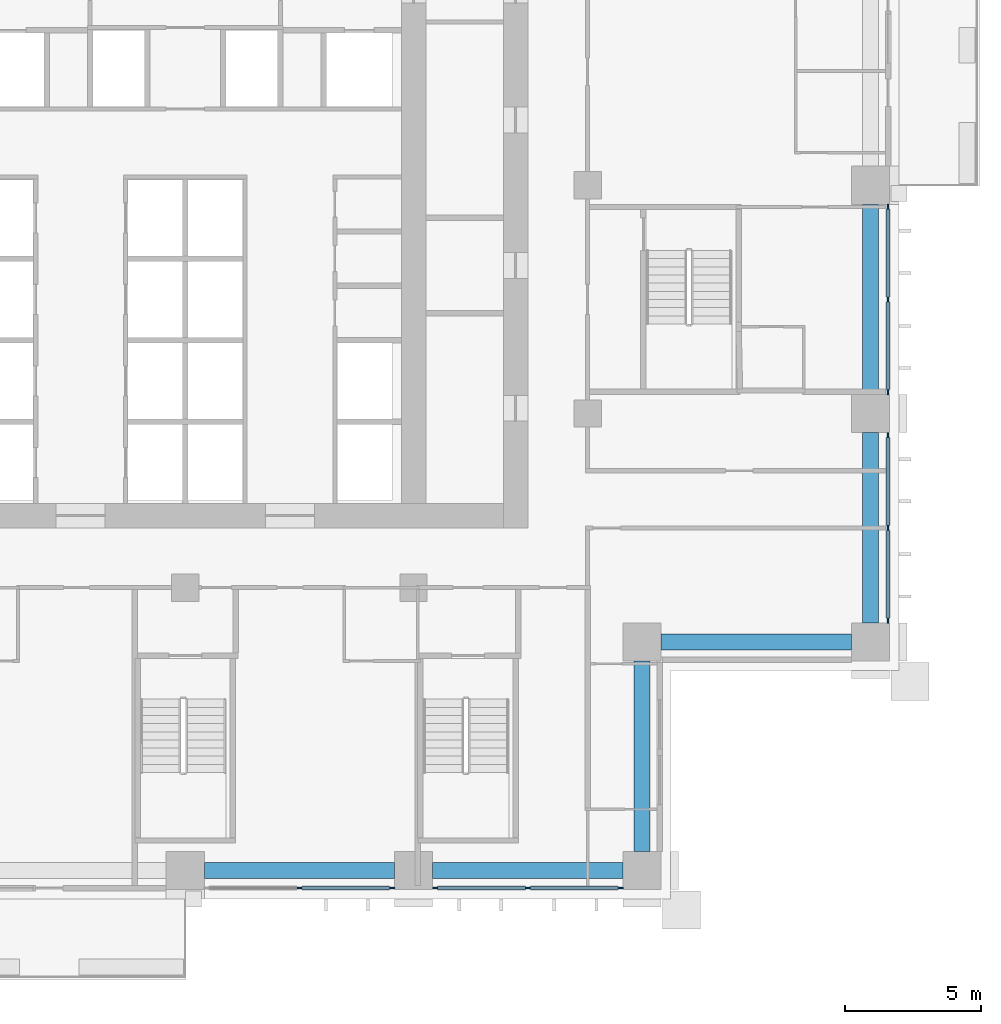
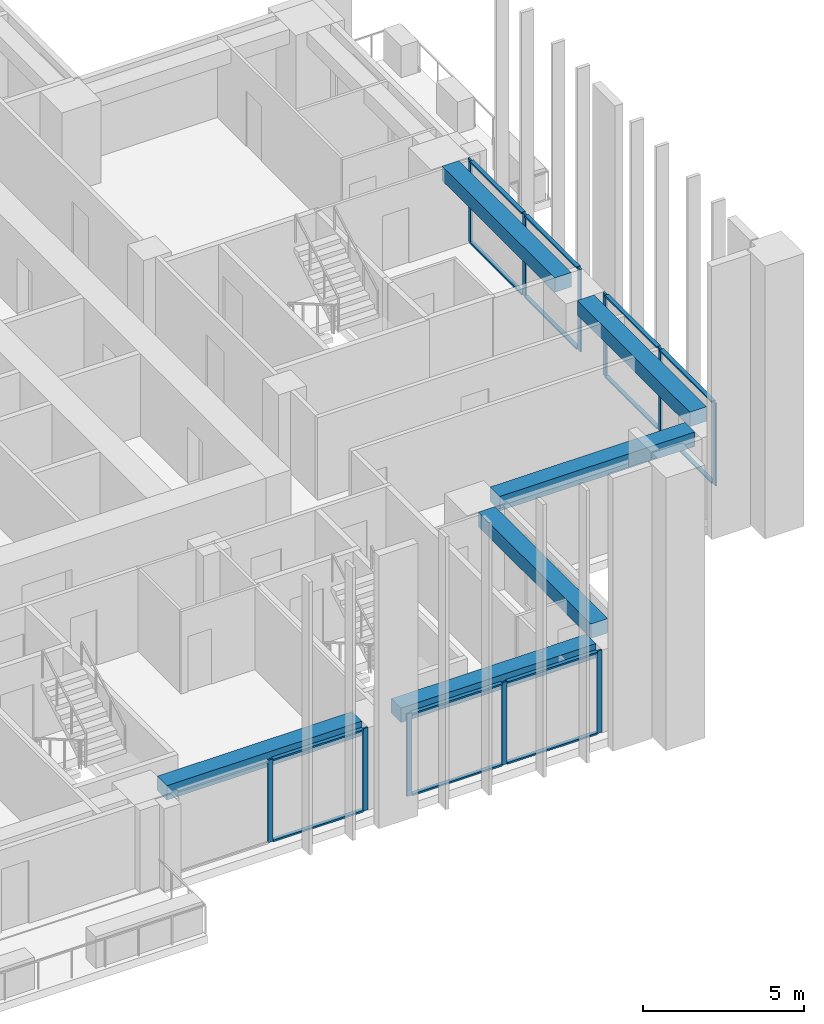
# One storey, part 4 of 17: 25 members, 6 beams, 4 elements without a shape of their own.
"""IFC4 building model written with IfcOpenShell, lengths in metres."""

from ifc_helpers import new_model, si_unit, direction, frame, origin, origin_2d, place, context, subcontext, project, spatial, rectangle, extrude, material, material_profile, profile_set, type_object, element, aggregate, save


model = new_model("IFC4")

# Units and contexts
model_context = context("Model", 3, precision=1e-05, world=origin(), true_north=direction((0.0, 1.0)))
body_context = subcontext(model_context, "Body", "Model", "MODEL_VIEW")
ifc_project = project(units=[si_unit("LENGTHUNIT", "METRE"), si_unit("AREAUNIT", "SQUARE_METRE"), si_unit("VOLUMEUNIT", "CUBIC_METRE"), si_unit("PLANEANGLEUNIT", "RADIAN"), si_unit("MASSUNIT", "GRAM", prefix="KILO")], contexts=[model_context])

# Site, building, storey
site_placement = place(None, origin())
site = spatial("IfcSite", under=ifc_project, at=site_placement, CompositionType="ELEMENT")
building_placement = place(site_placement, origin())
building = spatial("IfcBuilding", under=site, at=building_placement, Name="Vermilion Ogive Tower", CompositionType="ELEMENT")
storey_placement = place(building_placement, frame((0.0, 0.0, 37.949951171875)))
storey = spatial("IfcBuildingStorey", under=building, at=storey_placement, Name="L07", CompositionType="ELEMENT", Elevation=37.949951171875)

# Curtain wall, members
ifc_material_1 = material(Name="Low-iron laminated glazing in aluminium frame", Category="aluminium")
curtain_wall_type = type_object("IfcCurtainWallType", Name="Curtain wall CW7", PredefinedType="NOTDEFINED", material=ifc_material_1)
curtain_wall_1_placement = place(storey_placement, origin())
curtain_wall_1 = element("IfcCurtainWall", 1, at=curtain_wall_1_placement, inside=storey, type_object=curtain_wall_type, Name="Glazed skin S3", PredefinedType="NOTDEFINED")
ifc_material_2 = material(Name="Aluminium mullion", Category="aluminium")
ifc_material_profile_1 = material_profile(ifc_material_2, rectangle(XDim=0.06005859375, YDim=0.179931640625, at=origin_2d()), Name="AL 60x180")
ifc_profile_set_1 = profile_set([ifc_material_profile_1], Name="Aluminium mullion")
member_type_1 = type_object("IfcMemberType", Name="CW7 mullion 60x180", PredefinedType="MULLION", material=ifc_profile_set_1)
member_1_placement = place(storey_placement, frame((4.199951171875, -21.64990234375, 0.0), z_axis=(0.0, 0.0, 1.0), x_axis=(0.0, 1.0, 0.0)))
member_1 = element("IfcMember", 2, at=member_1_placement, type_object=member_type_1, Name="CW7-S3 mullion 2", PredefinedType="MULLION", context=body_context, shape_type="SweptSolid", body=[
    extrude(rectangle(XDim=0.06005859375, YDim=0.179931640625, at=origin_2d()), origin(), (0.0, 0.0, 1.0), 3.130126953125),
])
member_2_placement = place(storey_placement, frame((7.610107421875, -21.64990234375, 0.0), z_axis=(0.0, 0.0, 1.0), x_axis=(0.0, 1.0, 0.0)))
member_2 = element("IfcMember", 3, at=member_2_placement, type_object=member_type_1, Name="CW7-S3 mullion 3", PredefinedType="MULLION", context=body_context, shape_type="SweptSolid", body=[
    extrude(rectangle(XDim=0.06005859375, YDim=0.179931640625, at=origin_2d()), origin(), (0.0, 0.0, 1.0), 3.130126953125),
])

curtain_wall_2_placement = place(storey_placement, origin())
curtain_wall_2 = element("IfcCurtainWall", 4, at=curtain_wall_2_placement, inside=storey, type_object=curtain_wall_type, Name="Glazed skin S4", PredefinedType="NOTDEFINED")
member_3_placement = place(storey_placement, frame((9.18994140625, -21.64990234375, 0.0), z_axis=(0.0, 0.0, 1.0), x_axis=(0.0, 1.0, 0.0)))
member_3 = element("IfcMember", 5, at=member_3_placement, type_object=member_type_1, Name="CW7-S4 mullion 1", PredefinedType="MULLION", context=body_context, shape_type="SweptSolid", body=[
    extrude(rectangle(XDim=0.06005859375, YDim=0.179931640625, at=origin_2d()), origin(), (0.0, 0.0, 1.0), 3.130126953125),
])
member_4_placement = place(storey_placement, frame((12.60009765625, -21.64990234375, 0.0), z_axis=(0.0, 0.0, 1.0), x_axis=(0.0, 1.0, 0.0)))
member_4 = element("IfcMember", 6, at=member_4_placement, type_object=member_type_1, Name="CW7-S4 mullion 2", PredefinedType="MULLION", context=body_context, shape_type="SweptSolid", body=[
    extrude(rectangle(XDim=0.06005859375, YDim=0.179931640625, at=origin_2d()), origin(), (0.0, 0.0, 1.0), 3.130126953125),
])
member_5_placement = place(storey_placement, frame((16.010009765625, -21.64990234375, 0.0), z_axis=(0.0, 0.0, 1.0), x_axis=(0.0, 1.0, 0.0)))
member_5 = element("IfcMember", 7, at=member_5_placement, type_object=member_type_1, Name="CW7-S4 mullion 3", PredefinedType="MULLION", context=body_context, shape_type="SweptSolid", body=[
    extrude(rectangle(XDim=0.06005859375, YDim=0.179931640625, at=origin_2d()), origin(), (0.0, 0.0, 1.0), 3.130126953125),
])

curtain_wall_3_placement = place(storey_placement, origin())
curtain_wall_3 = element("IfcCurtainWall", 8, at=curtain_wall_3_placement, inside=storey, type_object=curtain_wall_type, Name="Glazed skin E1", PredefinedType="NOTDEFINED")
member_6_placement = place(storey_placement, frame((25.85009765625, -11.81005859375, 0.0), z_axis=(0.0, 0.0, 1.0), x_axis=(-1.0, 0.0, 0.0)))
member_6 = element("IfcMember", 9, at=member_6_placement, type_object=member_type_1, Name="CW7-E1 mullion 1", PredefinedType="MULLION", context=body_context, shape_type="SweptSolid", body=[
    extrude(rectangle(XDim=0.06005859375, YDim=0.179931640625, at=origin_2d()), origin(), (0.0, 0.0, 1.0), 3.130126953125),
])
member_7_placement = place(storey_placement, frame((25.85009765625, -8.39990234375, 0.0), z_axis=(0.0, 0.0, 1.0), x_axis=(-1.0, 0.0, 0.0)))
member_7 = element("IfcMember", 10, at=member_7_placement, type_object=member_type_1, Name="CW7-E1 mullion 2", PredefinedType="MULLION", context=body_context, shape_type="SweptSolid", body=[
    extrude(rectangle(XDim=0.06005859375, YDim=0.179931640625, at=origin_2d()), origin(), (0.0, 0.0, 1.0), 3.130126953125),
])
member_8_placement = place(storey_placement, frame((25.85009765625, -4.989990234375, 0.0), z_axis=(0.0, 0.0, 1.0), x_axis=(-1.0, 0.0, 0.0)))
member_8 = element("IfcMember", 11, at=member_8_placement, type_object=member_type_1, Name="CW7-E1 mullion 3", PredefinedType="MULLION", context=body_context, shape_type="SweptSolid", body=[
    extrude(rectangle(XDim=0.06005859375, YDim=0.179931640625, at=origin_2d()), origin(), (0.0, 0.0, 1.0), 3.130126953125),
])

curtain_wall_4_placement = place(storey_placement, origin())
curtain_wall_4 = element("IfcCurtainWall", 12, at=curtain_wall_4_placement, inside=storey, type_object=curtain_wall_type, Name="Glazed skin E2", PredefinedType="NOTDEFINED")
member_9_placement = place(storey_placement, frame((25.85009765625, -3.409912109375, 0.0), z_axis=(0.0, 0.0, 1.0), x_axis=(-1.0, 0.0, 0.0)))
member_9 = element("IfcMember", 13, at=member_9_placement, type_object=member_type_1, Name="CW7-E2 mullion 1", PredefinedType="MULLION", context=body_context, shape_type="SweptSolid", body=[
    extrude(rectangle(XDim=0.06005859375, YDim=0.179931640625, at=origin_2d()), origin(), (0.0, 0.0, 1.0), 3.130126953125),
])
member_10_placement = place(storey_placement, frame((25.85009765625, 0.0, 0.0), z_axis=(0.0, 0.0, 1.0), x_axis=(-1.0, 0.0, 0.0)))
member_10 = element("IfcMember", 14, at=member_10_placement, type_object=member_type_1, Name="CW7-E2 mullion 2", PredefinedType="MULLION", context=body_context, shape_type="SweptSolid", body=[
    extrude(rectangle(XDim=0.06005859375, YDim=0.179931640625, at=origin_2d()), origin(), (0.0, 0.0, 1.0), 3.130126953125),
])
member_11_placement = place(storey_placement, frame((25.85009765625, 3.409912109375, 0.0), z_axis=(0.0, 0.0, 1.0), x_axis=(-1.0, 0.0, 0.0)))
member_11 = element("IfcMember", 15, at=member_11_placement, type_object=member_type_1, Name="CW7-E2 mullion 3", PredefinedType="MULLION", context=body_context, shape_type="SweptSolid", body=[
    extrude(rectangle(XDim=0.06005859375, YDim=0.179931640625, at=origin_2d()), origin(), (0.0, 0.0, 1.0), 3.130126953125),
])

# Member
ifc_material_3 = material(Name="Aluminium transom", Category="aluminium")
ifc_material_profile_2 = material_profile(ifc_material_3, rectangle(XDim=0.139892578125, YDim=0.06005859375, at=origin_2d()), Name="AL 60x140")
ifc_profile_set_2 = profile_set([ifc_material_profile_2], Name="Aluminium transom")
member_type_2 = type_object("IfcMemberType", Name="CW7 transom 60x140", PredefinedType="USERDEFINED", material=ifc_profile_set_2)
member_12_placement = place(storey_placement, frame((4.2900390625, -21.64990234375, 0.030029296875), z_axis=(1.0, 0.0, 0.0), x_axis=(0.0, 1.0, 0.0)))
member_12 = element("IfcMember", 16, at=member_12_placement, type_object=member_type_2, Name="CW7-S3 transom 2.1", ObjectType="TRANSOM", PredefinedType="USERDEFINED", context=body_context, shape_type="SweptSolid", body=[
    extrude(rectangle(XDim=0.139892578125, YDim=0.06005859375, at=origin_2d()), origin(), (0.0, 0.0, 1.0), 3.22998046875),
])

member_13_placement = place(storey_placement, frame((4.2900390625, -21.64990234375, 3.10009765625), z_axis=(1.0, 0.0, 0.0), x_axis=(0.0, 1.0, 0.0)))
member_13 = element("IfcMember", 17, at=member_13_placement, type_object=member_type_2, Name="CW7-S3 transom 2.2", ObjectType="TRANSOM", PredefinedType="USERDEFINED", context=body_context, shape_type="SweptSolid", body=[
    extrude(rectangle(XDim=0.139892578125, YDim=0.06005859375, at=origin_2d()), origin(), (0.0, 0.0, 1.0), 3.22998046875),
])

aggregate(curtain_wall_1, [member_1, member_2, member_12, member_13])

member_14_placement = place(storey_placement, frame((9.280029296875, -21.64990234375, 0.030029296875), z_axis=(1.0, 0.0, 0.0), x_axis=(0.0, 1.0, 0.0)))
member_14 = element("IfcMember", 18, at=member_14_placement, type_object=member_type_2, Name="CW7-S4 transom 1.1", ObjectType="TRANSOM", PredefinedType="USERDEFINED", context=body_context, shape_type="SweptSolid", body=[
    extrude(rectangle(XDim=0.139892578125, YDim=0.06005859375, at=origin_2d()), origin(), (0.0, 0.0, 1.0), 3.22998046875),
])

member_15_placement = place(storey_placement, frame((9.280029296875, -21.64990234375, 3.10009765625), z_axis=(1.0, 0.0, 0.0), x_axis=(0.0, 1.0, 0.0)))
member_15 = element("IfcMember", 19, at=member_15_placement, type_object=member_type_2, Name="CW7-S4 transom 1.2", ObjectType="TRANSOM", PredefinedType="USERDEFINED", context=body_context, shape_type="SweptSolid", body=[
    extrude(rectangle(XDim=0.139892578125, YDim=0.06005859375, at=origin_2d()), origin(), (0.0, 0.0, 1.0), 3.22998046875),
])

member_16_placement = place(storey_placement, frame((12.68994140625, -21.64990234375, 0.030029296875), z_axis=(1.0, 0.0, 0.0), x_axis=(0.0, 1.0, 0.0)))
member_16 = element("IfcMember", 20, at=member_16_placement, type_object=member_type_2, Name="CW7-S4 transom 2.1", ObjectType="TRANSOM", PredefinedType="USERDEFINED", context=body_context, shape_type="SweptSolid", body=[
    extrude(rectangle(XDim=0.139892578125, YDim=0.06005859375, at=origin_2d()), origin(), (0.0, 0.0, 1.0), 3.22998046875),
])

member_17_placement = place(storey_placement, frame((12.68994140625, -21.64990234375, 3.10009765625), z_axis=(1.0, 0.0, 0.0), x_axis=(0.0, 1.0, 0.0)))
member_17 = element("IfcMember", 21, at=member_17_placement, type_object=member_type_2, Name="CW7-S4 transom 2.2", ObjectType="TRANSOM", PredefinedType="USERDEFINED", context=body_context, shape_type="SweptSolid", body=[
    extrude(rectangle(XDim=0.139892578125, YDim=0.06005859375, at=origin_2d()), origin(), (0.0, 0.0, 1.0), 3.22998046875),
])

aggregate(curtain_wall_2, [member_3, member_4, member_5, member_14, member_15, member_16, member_17])

member_18_placement = place(storey_placement, frame((25.85009765625, -11.719970703125, 0.030029296875), z_axis=(0.0, 1.0, 0.0), x_axis=(-1.0, 0.0, 0.0)))
member_18 = element("IfcMember", 22, at=member_18_placement, type_object=member_type_2, Name="CW7-E1 transom 1.1", ObjectType="TRANSOM", PredefinedType="USERDEFINED", context=body_context, shape_type="SweptSolid", body=[
    extrude(rectangle(XDim=0.139892578125, YDim=0.06005859375, at=origin_2d()), origin(), (0.0, 0.0, 1.0), 3.22998046875),
])

member_19_placement = place(storey_placement, frame((25.85009765625, -11.719970703125, 3.10009765625), z_axis=(0.0, 1.0, 0.0), x_axis=(-1.0, 0.0, 0.0)))
member_19 = element("IfcMember", 23, at=member_19_placement, type_object=member_type_2, Name="CW7-E1 transom 1.2", ObjectType="TRANSOM", PredefinedType="USERDEFINED", context=body_context, shape_type="SweptSolid", body=[
    extrude(rectangle(XDim=0.139892578125, YDim=0.06005859375, at=origin_2d()), origin(), (0.0, 0.0, 1.0), 3.22998046875),
])

member_20_placement = place(storey_placement, frame((25.85009765625, -8.31005859375, 0.030029296875), z_axis=(0.0, 1.0, 0.0), x_axis=(-1.0, 0.0, 0.0)))
member_20 = element("IfcMember", 24, at=member_20_placement, type_object=member_type_2, Name="CW7-E1 transom 2.1", ObjectType="TRANSOM", PredefinedType="USERDEFINED", context=body_context, shape_type="SweptSolid", body=[
    extrude(rectangle(XDim=0.139892578125, YDim=0.06005859375, at=origin_2d()), origin(), (0.0, 0.0, 1.0), 3.22998046875),
])

member_21_placement = place(storey_placement, frame((25.85009765625, -8.31005859375, 3.10009765625), z_axis=(0.0, 1.0, 0.0), x_axis=(-1.0, 0.0, 0.0)))
member_21 = element("IfcMember", 25, at=member_21_placement, type_object=member_type_2, Name="CW7-E1 transom 2.2", ObjectType="TRANSOM", PredefinedType="USERDEFINED", context=body_context, shape_type="SweptSolid", body=[
    extrude(rectangle(XDim=0.139892578125, YDim=0.06005859375, at=origin_2d()), origin(), (0.0, 0.0, 1.0), 3.22998046875),
])

aggregate(curtain_wall_3, [member_6, member_7, member_8, member_18, member_19, member_20, member_21])

member_22_placement = place(storey_placement, frame((25.85009765625, -3.320068359375, 0.030029296875), z_axis=(0.0, 1.0, 0.0), x_axis=(-1.0, 0.0, 0.0)))
member_22 = element("IfcMember", 26, at=member_22_placement, type_object=member_type_2, Name="CW7-E2 transom 1.1", ObjectType="TRANSOM", PredefinedType="USERDEFINED", context=body_context, shape_type="SweptSolid", body=[
    extrude(rectangle(XDim=0.139892578125, YDim=0.06005859375, at=origin_2d()), origin(), (0.0, 0.0, 1.0), 3.22998046875),
])

member_23_placement = place(storey_placement, frame((25.85009765625, -3.320068359375, 3.10009765625), z_axis=(0.0, 1.0, 0.0), x_axis=(-1.0, 0.0, 0.0)))
member_23 = element("IfcMember", 27, at=member_23_placement, type_object=member_type_2, Name="CW7-E2 transom 1.2", ObjectType="TRANSOM", PredefinedType="USERDEFINED", context=body_context, shape_type="SweptSolid", body=[
    extrude(rectangle(XDim=0.139892578125, YDim=0.06005859375, at=origin_2d()), origin(), (0.0, 0.0, 1.0), 3.22998046875),
])

member_24_placement = place(storey_placement, frame((25.85009765625, 0.090087890625, 0.030029296875), z_axis=(0.0, 1.0, 0.0), x_axis=(-1.0, 0.0, 0.0)))
member_24 = element("IfcMember", 28, at=member_24_placement, type_object=member_type_2, Name="CW7-E2 transom 2.1", ObjectType="TRANSOM", PredefinedType="USERDEFINED", context=body_context, shape_type="SweptSolid", body=[
    extrude(rectangle(XDim=0.139892578125, YDim=0.06005859375, at=origin_2d()), origin(), (0.0, 0.0, 1.0), 3.22998046875),
])

member_25_placement = place(storey_placement, frame((25.85009765625, 0.090087890625, 3.10009765625), z_axis=(0.0, 1.0, 0.0), x_axis=(-1.0, 0.0, 0.0)))
member_25 = element("IfcMember", 29, at=member_25_placement, type_object=member_type_2, Name="CW7-E2 transom 2.2", ObjectType="TRANSOM", PredefinedType="USERDEFINED", context=body_context, shape_type="SweptSolid", body=[
    extrude(rectangle(XDim=0.139892578125, YDim=0.06005859375, at=origin_2d()), origin(), (0.0, 0.0, 1.0), 3.22998046875),
])

aggregate(curtain_wall_4, [member_9, member_10, member_11, member_22, member_23, member_24, member_25])

# Beams
ifc_material_4 = material(Name="Concrete B45", Category="concrete")
ifc_material_profile_3 = material_profile(ifc_material_4, rectangle(XDim=0.60009765625, YDim=0.550048828125, at=origin_2d()), Name="600 x 550")
ifc_profile_set_3 = profile_set([ifc_material_profile_3], Name="Concrete B45")
beam_type = type_object("IfcBeamType", Name="Edge beam 600 x 550 B45", PredefinedType="BEAM", material=ifc_profile_set_3)
for number, where, z_axis, x_axis, name in (
    (30, (0.699951171875, -21.0, 2.85498046875), (1.0, 0.0, 0.0), (0.0, 1.0, 0.0), "L07-EB-3"),
    (31, (9.10009765625, -21.0, 2.85498046875), (1.0, 0.0, 0.0), (0.0, 1.0, 0.0), "L07-EB-4"),
    (32, (16.800048828125, -20.300048828125, 2.85498046875), (0.0, 1.0, 0.0), (-1.0, 0.0, 0.0), "L07-EB-5"),
    (33, (17.5, -12.60009765625, 2.85498046875), (1.0, 0.0, 0.0), (0.0, 1.0, 0.0), "L07-EB-6"),
    (34, (25.199951171875, -11.89990234375, 2.85498046875), (0.0, 1.0, 0.0), (-1.0, 0.0, 0.0), "L07-EB-7"),
    (35, (25.199951171875, -3.5, 2.85498046875), (0.0, 1.0, 0.0), (-1.0, 0.0, 0.0), "L07-EB-8"),
):
    element("IfcBeam", number, at=place(storey_placement, frame(where, z_axis=z_axis, x_axis=x_axis)), inside=storey, type_object=beam_type, Name=name, PredefinedType="BEAM", context=body_context, shape_type="SweptSolid", body=[
        extrude(rectangle(XDim=0.60009765625, YDim=0.550048828125, at=origin_2d()), origin(), (0.0, 0.0, 1.0), 7.0),
    ])

save(model, "model.ifc")
